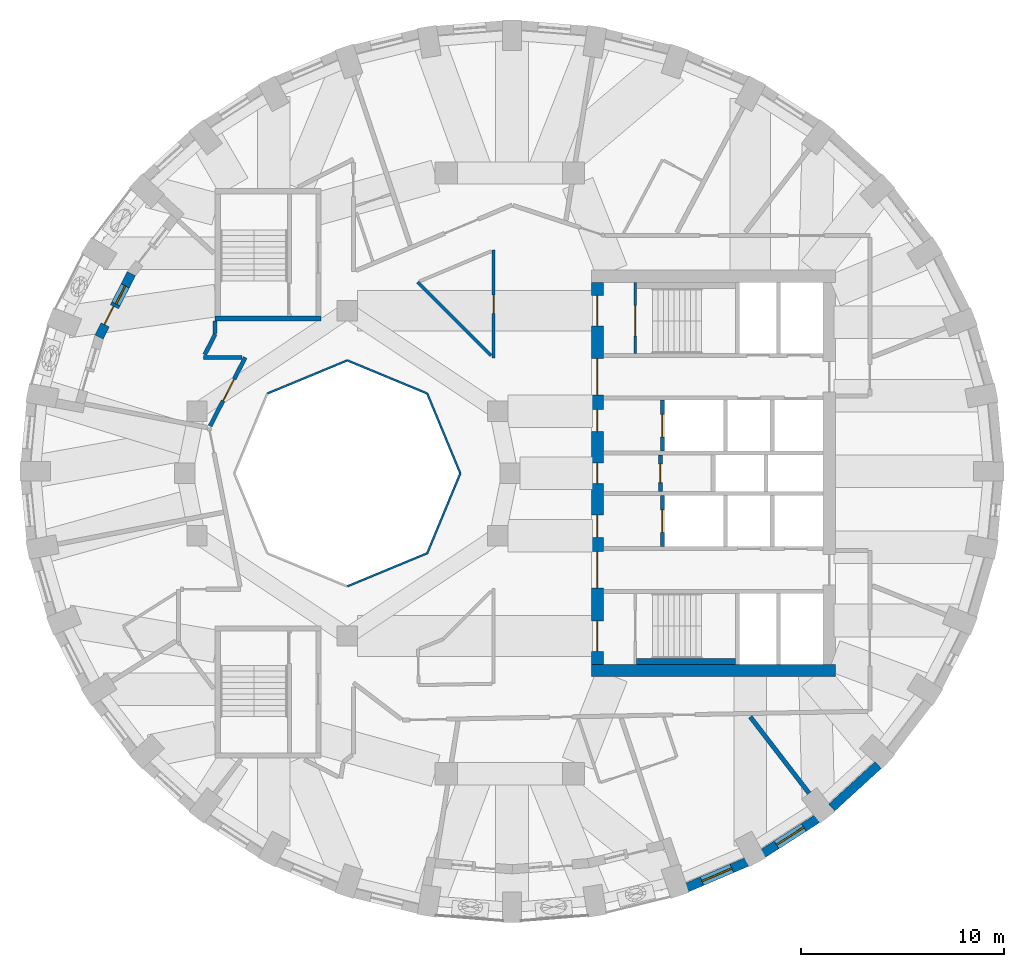
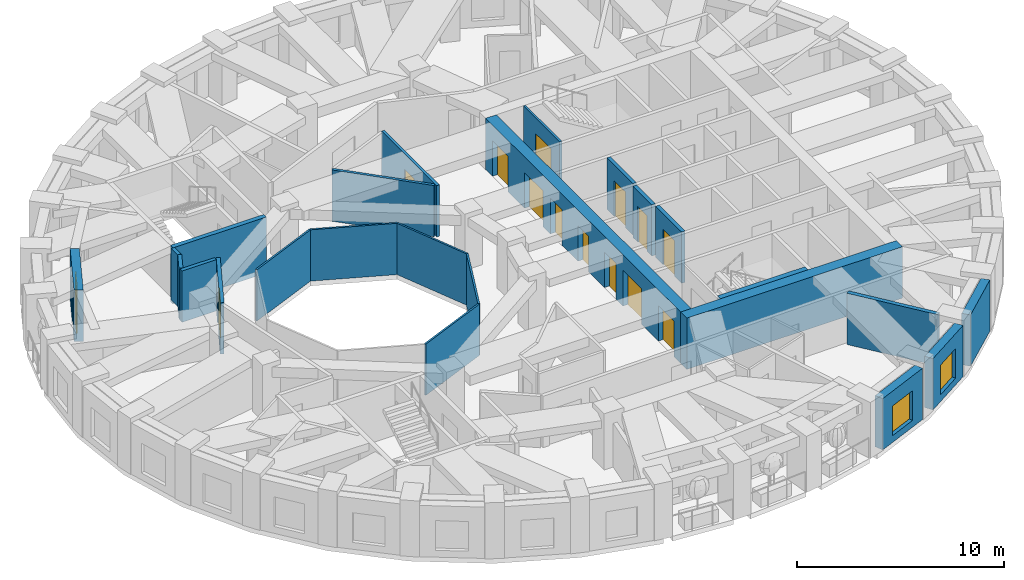
# One storey, part 5 of 11: 24 walls, 14 doors, 3 windows, 17 openings.
"""IFC4 building model written with IfcOpenShell, lengths in metres."""

import ifcopenshell
import ifcopenshell.guid

model = None  # the IFC model being written
_history = None  # IfcOwnerHistory: only IFC2X3 demands one
_inside = {}  # id of a spatial element -> (the spatial element, [elements in it])
_under = {}  # id of a project, library or spatial element -> (it, [spatial elements below it])
_declared = {}  # id of a project -> (the project, [libraries it declares])
_typed = {}  # id of a type object -> (the type object, [elements of that type])
_made_of = {}  # id of a material, layer set ... -> (it, [elements and type objects made of it])


def new_model(schema):
    """Start an empty IFC model of exactly this schema.

    Asked for "IFC4X3", IfcOpenShell would pick the latest addendum, in which some entities
    have other attributes; the version numbers below select the first issue.
    IFC2X3 requires an IfcOwnerHistory on every rooted entity: one is made here for all.
    """
    global model, _history
    if schema == "IFC4X3":
        model = ifcopenshell.file(schema_version=(4, 3, 0, 0))
    else:
        model = ifcopenshell.file(schema=schema)
    _inside.clear()
    _under.clear()
    _declared.clear()
    _typed.clear()
    _made_of.clear()
    _history = None
    if model.schema == "IFC2X3":
        org = make("IfcOrganization", Name="unknown")
        user = make(
            "IfcPersonAndOrganization",
            ThePerson=make("IfcPerson", FamilyName="unknown"),
            TheOrganization=org,
        )
        app = make(
            "IfcApplication",
            ApplicationDeveloper=org,
            Version="unknown",
            ApplicationFullName="unknown",
            ApplicationIdentifier="unknown",
        )
        _history = make(
            "IfcOwnerHistory",
            OwningUser=user,
            OwningApplication=app,
            ChangeAction="ADDED",
            CreationDate=0,
        )
    return model


def make(cls, **values):
    """One entity of the class cls with the attributes given. An attribute that is None is left unset."""
    return model.create_entity(
        cls, **{name: value for name, value in values.items() if value is not None}
    )


def rooted(cls, **values):
    """An entity with a GlobalId (a new one), such as an element, a storey or a relation."""
    return make(cls, GlobalId=ifcopenshell.guid.new(), OwnerHistory=_history, **values)


def si_unit(unit_type, name, prefix=None):
    """IfcSIUnit, for example si_unit("LENGTHUNIT", "METRE", prefix="MILLI")."""
    return make("IfcSIUnit", UnitType=unit_type, Prefix=prefix, Name=name)


def assignment(units):
    """IfcUnitAssignment: the units of a project."""
    return None if units is None else make("IfcUnitAssignment", Units=units)


def point(xyz):
    """IfcCartesianPoint."""
    return None if xyz is None else make("IfcCartesianPoint", Coordinates=xyz)


def direction(xyz):
    """IfcDirection."""
    return None if xyz is None else make("IfcDirection", DirectionRatios=xyz)


def frame(location, z_axis=None, x_axis=None):
    """IfcAxis2Placement3D, a coordinate frame: its origin and axes. An axis left out is left unset."""
    return make(
        "IfcAxis2Placement3D",
        Location=point(location),
        Axis=direction(z_axis),
        RefDirection=direction(x_axis),
    )


def frame_2d(location, x_axis=None):
    """IfcAxis2Placement2D, a coordinate frame in the plane: its origin and x axis."""
    return make(
        "IfcAxis2Placement2D", Location=point(location), RefDirection=direction(x_axis)
    )


def origin():
    """The frame at (0, 0, 0) with its axes left unset."""
    return frame((0.0, 0.0, 0.0))


def place(relative_to, where):
    """IfcLocalPlacement: puts the frame where relative to a parent placement (None: the world)."""
    return make(
        "IfcLocalPlacement", PlacementRelTo=relative_to, RelativePlacement=where
    )


def context(
    kind, dimensions, precision=None, world=None, true_north=None, identifier=None
):
    """IfcGeometricRepresentationContext, for example the 3D "Model" context."""
    return make(
        "IfcGeometricRepresentationContext",
        ContextIdentifier=identifier,
        ContextType=kind,
        CoordinateSpaceDimension=dimensions,
        Precision=precision,
        WorldCoordinateSystem=world,
        TrueNorth=true_north,
    )


def subcontext(parent, identifier, kind, view, scale=None):
    """IfcGeometricRepresentationSubContext, for example "Body" below "Model"."""
    return make(
        "IfcGeometricRepresentationSubContext",
        ContextIdentifier=identifier,
        ContextType=kind,
        ParentContext=parent,
        TargetScale=scale,
        TargetView=view,
    )


def project(units=None, contexts=None):
    """IfcProject with its units and contexts."""
    return rooted(
        "IfcProject",
        Name="project",
        RepresentationContexts=contexts,
        UnitsInContext=assignment(units),
    )


def spatial(cls, under=None, at=None, **own):
    """A site, building, storey or space (cls), placed at a placement, below another one or the project."""
    s = rooted(cls, ObjectPlacement=at, **own)
    if under is not None:
        _under.setdefault(under.id(), (under, []))[1].append(s)
    return s


def profile(cls, at=None, kind="AREA", **sizes):
    """A parametric profile (cls). Its sizes go by their IFC names, for example OverallWidth=200.0."""
    return make(cls, ProfileType=kind, Position=at, **sizes)


def rectangle(**sizes):
    """IfcRectangleProfileDef."""
    return profile("IfcRectangleProfileDef", **sizes)


def extrude(swept, where, along, depth):
    """IfcExtrudedAreaSolid: the profile swept, set in the frame where, extruded along a direction by depth."""
    return make(
        "IfcExtrudedAreaSolid",
        SweptArea=swept,
        Position=where,
        ExtrudedDirection=direction(along),
        Depth=depth,
    )


def shape(context_of_items, identifier, shape_type, items):
    """IfcShapeRepresentation: the items that make up one representation, for example the "Body"."""
    return make(
        "IfcShapeRepresentation",
        ContextOfItems=context_of_items,
        RepresentationIdentifier=identifier,
        RepresentationType=shape_type,
        Items=items,
    )


def material(Name=None, Category=None):
    """IfcMaterial."""
    return make("IfcMaterial", Name=Name, Category=Category)


def layer(
    of_material, thickness, ventilated=None, Name=None, Category=None, Priority=None
):
    """IfcMaterialLayer: one layer of a wall or slab, of a material (None: an air gap)."""
    return make(
        "IfcMaterialLayer",
        Material=of_material,
        LayerThickness=thickness,
        IsVentilated=ventilated,
        Name=Name,
        Category=Category,
        Priority=Priority,
    )


def layer_set(layers, Name=None):
    """IfcMaterialLayerSet."""
    return make("IfcMaterialLayerSet", MaterialLayers=layers, LayerSetName=Name)


def made_of(thing, what):
    """Note that an element or type object is made of a material, layer set ...; save() writes the relation."""
    if what is not None:
        _made_of.setdefault(what.id(), (what, []))[1].append(thing)
    return thing


def type_object(cls, material=None, **own):
    """A type object (cls), such as IfcWallType, which elements share."""
    return made_of(rooted(cls, **own), material)


def element(
    cls,
    number,
    at=None,
    inside=None,
    cuts=None,
    type_object=None,
    material=None,
    context=None,
    identifier="Body",
    shape_type=None,
    held_by="IfcProductDefinitionShape",
    body=None,
    shapes=None,
    **own,
):
    """One element of the class cls, such as IfcWall. Its Tag is "e" and its number.

    at: its placement. inside: the storey or other place that contains it. cuts: it is an
    opening in that element (IfcRelVoidsElement). A single representation is given by context,
    identifier, shape_type and body (its items); several are given by shapes. held_by: the class
    of the entity that holds the representations. save() writes the other relations.
    """
    e = rooted(cls, Tag="e%d" % number, ObjectPlacement=at, **own)
    if body is not None:
        shapes = [shape(context, identifier, shape_type, body)]
    if shapes is not None:
        e.Representation = make(held_by, Representations=shapes)
    if inside is not None:
        _inside.setdefault(inside.id(), (inside, []))[1].append(e)
    if cuts is not None:
        rooted(
            "IfcRelVoidsElement", RelatingBuildingElement=cuts, RelatedOpeningElement=e
        )
    if type_object is not None:
        _typed.setdefault(type_object.id(), (type_object, []))[1].append(e)
    return made_of(e, material)


def fill(opening, filler):
    """IfcRelFillsElement: the door or window that sits in an opening."""
    return rooted(
        "IfcRelFillsElement",
        RelatingOpeningElement=opening,
        RelatedBuildingElement=filler,
    )


def aggregate(whole, parts):
    """IfcRelAggregates: a whole, such as a stair, and the parts it consists of."""
    return rooted("IfcRelAggregates", RelatingObject=whole, RelatedObjects=parts)


def save(model, path):
    """Write the relations noted so far, then the file.

    IfcRelAggregates (storeys below a building ...), IfcRelContainedInSpatialStructure (elements
    in a storey), IfcRelDefinesByType, IfcRelAssociatesMaterial and IfcRelDeclares: one each for
    every whole, place, type object, material and project.
    """
    for whole, parts in _under.values():
        aggregate(whole, parts)
    for where, things in _inside.values():
        rooted(
            "IfcRelContainedInSpatialStructure",
            RelatedElements=things,
            RelatingStructure=where,
        )
    for kind, things in _typed.values():
        rooted("IfcRelDefinesByType", RelatedObjects=things, RelatingType=kind)
    for what, things in _made_of.values():
        rooted("IfcRelAssociatesMaterial", RelatedObjects=things, RelatingMaterial=what)
    for by, libraries in _declared.values():
        rooted("IfcRelDeclares", RelatingContext=by, RelatedDefinitions=libraries)
    model.write(path)


model = new_model("IFC4")

# Units and contexts
model_context = context("Model", 3, precision=1e-05, world=origin(), true_north=direction((0.0, 1.0)))
body_context = subcontext(model_context, "Body", "Model", "MODEL_VIEW")
ifc_project = project(units=[si_unit("LENGTHUNIT", "METRE"), si_unit("AREAUNIT", "SQUARE_METRE"), si_unit("VOLUMEUNIT", "CUBIC_METRE"), si_unit("PLANEANGLEUNIT", "RADIAN"), si_unit("MASSUNIT", "GRAM", prefix="KILO")], contexts=[model_context])

# Site, building, storey
site_placement = place(None, origin())
site = spatial("IfcSite", under=ifc_project, at=site_placement, CompositionType="ELEMENT")
building_placement = place(site_placement, origin())
building = spatial("IfcBuilding", under=site, at=building_placement, Name="Taillehof Tower", CompositionType="ELEMENT")
storey_placement = place(building_placement, frame((0.0, 0.0, 155.0)))
storey = spatial("IfcBuildingStorey", under=building, at=storey_placement, Name="L43", CompositionType="ELEMENT", Elevation=155.0)

# Walls
ifc_material_1 = material(Name="Fire-resisting glass in steel frame", Category="steel")
ifc_layer_1 = layer(ifc_material_1, 0.10009765625)
ifc_layer_set_1 = layer_set([ifc_layer_1], Name="Atrium fire-resisting screen EI 60 100")
wall_type_1 = type_object("IfcWallType", Name="Atrium fire-resisting screen EI 60 100", PredefinedType="PARTITIONING", material=ifc_layer_set_1)
for number, where, z_axis, x_axis, name in (
    (1, (-2.44580078125, 0.0, 0.0), (0.0, 0.0, 1.0), (-0.382730523909, -0.923860025149, 0.0), "Atrium screen"),
    (2, (-4.07275390625, -3.92724609375, 0.0), (0.0, 0.0, 1.0), (-0.923860025149, -0.382730523909, 0.0), "Atrium screen"),
    (3, (-11.92724609375, 3.92724609375, 0.0), (0.0, 0.0, 1.0), (0.923860025149, 0.382730523909, 0.0), "Atrium screen"),
    (4, (-8.0, 5.55419921875, 0.0), (0.0, 0.0, 1.0), (0.923860025149, -0.382730523909, 0.0), "Atrium screen"),
    (5, (-4.07275390625, 3.92724609375, 0.0), (0.0, 0.0, 1.0), (0.382730523909, -0.923860025149, 0.0), "Atrium screen"),
):
    element("IfcWall", number, at=place(storey_placement, frame(where, z_axis=z_axis, x_axis=x_axis)), inside=storey, type_object=wall_type_1, Name=name, PredefinedType="PARTITIONING", context=body_context, shape_type="SweptSolid", body=[
        extrude(rectangle(XDim=4.2509765625, YDim=0.10009765625, at=frame_2d((2.12548828125, 0.0))), origin(), (0.0, 0.0, 1.0), 3.02001953125),
    ])

# Wall, opening, window
ifc_material_2 = material(Name="Brick masonry", Category="masonry")
ifc_layer_2 = layer(ifc_material_2, 0.449951171875)
ifc_layer_set_2 = layer_set([ifc_layer_2], Name="Brick infill wall 450")
wall_type_2 = type_object("IfcWallType", Name="Brick infill wall 450", PredefinedType="SOLIDWALL", material=ifc_layer_set_2)
wall_1_placement = place(storey_placement, frame((8.706298828125, -20.37451171875, 0.0), z_axis=(0.0, 0.0, 1.0), x_axis=(0.91981046949, 0.392362969986, 0.0)))
wall_1 = element("IfcWall", 6, at=wall_1_placement, inside=storey, type_object=wall_type_2, Name="Brick wall L43 bay 30", PredefinedType="SOLIDWALL", context=body_context, shape_type="SweptSolid", body=[
    extrude(rectangle(XDim=3.20068359375, YDim=0.449951171875, at=frame_2d((1.600341796875, 0.0))), origin(), (0.0, 0.0, 1.0), 3.02001953125),
])
opening_1_placement = place(wall_1_placement, frame((0.80029296875, 0.0, 0.39990234375)))
opening_1 = element("IfcOpeningElement", 7, at=opening_1_placement, cuts=wall_1, Name="Opening W3", PredefinedType="OPENING", context=body_context, shape_type="SweptSolid", body=[
    extrude(rectangle(XDim=1.60009765625, YDim=1.75, at=frame_2d((0.800048828125, 0.875))), frame((0.0, 0.23486328125, 0.0), z_axis=(0.0, -1.0, 0.0), x_axis=(1.0, 0.0, 0.0)), (0.0, 0.0, 1.0), 0.469970703125),
])
ifc_material_3 = material(Name="Aluminium window frame with clear double glazing", Category="aluminium")
window_type_1 = type_object("IfcWindowType", Name="Deep-set window 1600x1750", PartitioningType="SINGLE_PANEL", PredefinedType="WINDOW", material=ifc_material_3)
window_1_placement = place(opening_1_placement, origin())
window_1 = element("IfcWindow", 8, at=window_1_placement, inside=storey, type_object=window_type_1, Name="W3", OverallHeight=1.75, OverallWidth=1.60009765625, PartitioningType="SINGLE_PANEL", PredefinedType="WINDOW", context=body_context, shape_type="SweptSolid", body=[
    extrude(rectangle(XDim=1.60009765625, YDim=1.75, at=frame_2d((0.800048828125, 0.875))), frame((0.0, 0.034912109375, 0.0), z_axis=(0.0, -1.0, 0.0), x_axis=(1.0, 0.0, 0.0)), (0.0, 0.0, 1.0), 0.06005859375),
])
fill(opening_1, window_1)

wall_2_placement = place(storey_placement, frame((12.454833984375, -18.693115234375, 0.0), z_axis=(0.0, 0.0, 1.0), x_axis=(0.842065914439, 0.539374633943, 0.0)))
wall_2 = element("IfcWall", 9, at=wall_2_placement, inside=storey, type_object=wall_type_2, Name="Brick wall L43 bay 31", PredefinedType="SOLIDWALL", context=body_context, shape_type="SweptSolid", body=[
    extrude(rectangle(XDim=3.1513671875, YDim=0.449951171875, at=frame_2d((1.57568359375, 0.0))), origin(), (0.0, 0.0, 1.0), 3.02001953125),
])
opening_2_placement = place(wall_2_placement, frame((0.775634765625, 0.0, 0.39990234375)))
opening_2 = element("IfcOpeningElement", 10, at=opening_2_placement, cuts=wall_2, Name="Opening W3", PredefinedType="OPENING", context=body_context, shape_type="SweptSolid", body=[
    extrude(rectangle(XDim=1.60009765625, YDim=1.75, at=frame_2d((0.800048828125, 0.875))), frame((0.0, 0.23486328125, 0.0), z_axis=(0.0, -1.0, 0.0), x_axis=(1.0, 0.0, 0.0)), (0.0, 0.0, 1.0), 0.469970703125),
])
window_2_placement = place(opening_2_placement, origin())
window_2 = element("IfcWindow", 11, at=window_2_placement, inside=storey, type_object=window_type_1, Name="W3", OverallHeight=1.75, OverallWidth=1.60009765625, PartitioningType="SINGLE_PANEL", PredefinedType="WINDOW", context=body_context, shape_type="SweptSolid", body=[
    extrude(rectangle(XDim=1.60009765625, YDim=1.75, at=frame_2d((0.800048828125, 0.875))), frame((0.0, 0.034912109375, 0.0), z_axis=(0.0, -1.0, 0.0), x_axis=(1.0, 0.0, 0.0)), (0.0, 0.0, 1.0), 0.06005859375),
])
fill(opening_2, window_2)

# Wall
wall_3_placement = place(storey_placement, frame((15.830078125, -16.438720703125, 0.0), z_axis=(0.0, 0.0, 1.0), x_axis=(0.737808755941, 0.675009807082, 0.0)))
element("IfcWall", 12, at=wall_3_placement, inside=storey, type_object=wall_type_2, Name="Brick wall L43 bay 32", PredefinedType="SOLIDWALL", context=body_context, shape_type="SweptSolid", body=[
    extrude(rectangle(XDim=3.094482421875, YDim=0.449951171875, at=frame_2d((1.54736328125, 0.0))), origin(), (0.0, 0.0, 1.0), 3.02001953125),
])

# Wall, openings, door, window
wall_4_placement = place(storey_placement, frame((-18.6259765625, 9.819580078125, 0.0), z_axis=(0.0, 0.0, 1.0), x_axis=(-0.453241970186, -0.891387523169, 0.0)))
wall_4 = element("IfcWall", 13, at=wall_4_placement, inside=storey, type_object=wall_type_2, Name="Brick wall L43 pocket bay 16", PredefinedType="SOLIDWALL", context=body_context, shape_type="SweptSolid", body=[
    extrude(rectangle(XDim=3.4931640625, YDim=0.449951171875, at=frame_2d((1.74658203125, 0.0))), origin(), (0.0, 0.0, 1.0), 3.02001953125),
])
opening_3_placement = place(wall_4_placement, frame((0.671630859375, 0.0, 0.39990234375)))
opening_3 = element("IfcOpeningElement", 14, at=opening_3_placement, cuts=wall_4, Name="Opening W5", PredefinedType="OPENING", context=body_context, shape_type="SweptSolid", body=[
    extrude(rectangle(XDim=1.0, YDim=1.75, at=frame_2d((0.5, 0.875))), frame((0.0, 0.23486328125, 0.0), z_axis=(0.0, -1.0, 0.0), x_axis=(1.0, 0.0, 0.0)), (0.0, 0.0, 1.0), 0.469970703125),
])
opening_4_placement = place(wall_4_placement, frame((1.821533203125, 0.0, 0.0)))
opening_4 = element("IfcOpeningElement", 15, at=opening_4_placement, cuts=wall_4, Name="Opening D4395", PredefinedType="OPENING", context=body_context, shape_type="SweptSolid", body=[
    extrude(rectangle(XDim=1.0, YDim=2.14990234375, at=frame_2d((0.5, 1.074951171875))), frame((0.0, 0.23486328125, 0.0), z_axis=(0.0, -1.0, 0.0), x_axis=(1.0, 0.0, 0.0)), (0.0, 0.0, 1.0), 0.469970703125),
])
ifc_material_4 = material(Name="Aluminium door frame with clear double glazing", Category="aluminium")
door_type_1 = type_object("IfcDoorType", Name="Balcony door 1000x2150", OperationType="SINGLE_SWING_RIGHT", PredefinedType="DOOR", material=ifc_material_4)
door_1_placement = place(opening_4_placement, frame((1.0, 0.0, 0.0), z_axis=(0.0, 0.0, 1.0), x_axis=(-1.0, 0.0, 0.0)))
door_1 = element("IfcDoor", 16, at=door_1_placement, inside=storey, type_object=door_type_1, Name="Balcony door L43 bay 16", OperationType="SINGLE_SWING_LEFT", OverallHeight=2.14990234375, OverallWidth=1.0, PredefinedType="DOOR", context=body_context, shape_type="SweptSolid", body=[
    extrude(rectangle(XDim=1.0, YDim=2.14990234375, at=frame_2d((0.5, 1.074951171875))), frame((0.0, 0.0751953125, 0.0), z_axis=(0.0, -1.0, 0.0), x_axis=(1.0, 0.0, 0.0)), (0.0, 0.0, 1.0), 0.050048828125),
])
fill(opening_4, door_1)
ifc_material_5 = material(Name="Aluminium window frame with clear double glazing", Category="aluminium")
window_type_2 = type_object("IfcWindowType", Name="Fixed window 1000x1750", PartitioningType="SINGLE_PANEL", PredefinedType="WINDOW", material=ifc_material_5)
window_3_placement = place(opening_3_placement, origin())
window_3 = element("IfcWindow", 17, at=window_3_placement, inside=storey, type_object=window_type_2, Name="W5", OverallHeight=1.75, OverallWidth=1.0, PartitioningType="SINGLE_PANEL", PredefinedType="WINDOW", context=body_context, shape_type="SweptSolid", body=[
    extrude(rectangle(XDim=1.0, YDim=1.75, at=frame_2d((0.5, 0.875))), frame((0.0, 0.034912109375, 0.0), z_axis=(0.0, -1.0, 0.0), x_axis=(1.0, 0.0, 0.0)), (0.0, 0.0, 1.0), 0.06005859375),
])
fill(opening_3, window_3)

# Wall, opening, door
ifc_material_6 = material(Name="Calcium silicate masonry", Category="masonry")
ifc_layer_3 = layer(ifc_material_6, 0.199951171875)
ifc_layer_set_3 = layer_set([ifc_layer_3], Name="Compartment wall calcium silicate 200")
wall_type_3 = type_object("IfcWallType", Name="Compartment wall calcium silicate 200", PredefinedType="PARTITIONING", material=ifc_layer_set_3)
wall_5_placement = place(storey_placement, frame((7.39990234375, -0.89990234375, 0.0), z_axis=(0.0, 0.0, 1.0), x_axis=(0.0, 1.0, 0.0)))
wall_5 = element("IfcWall", 18, at=wall_5_placement, inside=storey, type_object=wall_type_3, Name="Compartment wall FW", PredefinedType="PARTITIONING", context=body_context, shape_type="SweptSolid", body=[
    extrude(rectangle(XDim=1.7998046875, YDim=0.199951171875, at=frame_2d((0.89990234375, 0.0))), origin(), (0.0, 0.0, 1.0), 3.02001953125),
])
opening_5_placement = place(wall_5_placement, frame((0.449951171875, 0.0, 0.0)))
opening_5 = element("IfcOpeningElement", 19, at=opening_5_placement, cuts=wall_5, Name="Opening D4314", PredefinedType="OPENING", context=body_context, shape_type="SweptSolid", body=[
    extrude(rectangle(XDim=0.89990234375, YDim=2.10009765625, at=frame_2d((0.449951171875, 1.050048828125))), frame((0.0, 0.10986328125, 0.0), z_axis=(0.0, -1.0, 0.0), x_axis=(1.0, 0.0, 0.0)), (0.0, 0.0, 1.0), 0.219970703125),
])
ifc_material_7 = material(Name="Steel-faced fire door", Category="steel")
door_type_2 = type_object("IfcDoorType", Name="Riser and service room door 900x2100", OperationType="SINGLE_SWING_LEFT", PredefinedType="DOOR", material=ifc_material_7)
door_2_placement = place(opening_5_placement, origin())
door_2 = element("IfcDoor", 20, at=door_2_placement, inside=storey, type_object=door_type_2, Name="Door Fire Safety Store", OperationType="SINGLE_SWING_RIGHT", OverallHeight=2.10009765625, OverallWidth=0.89990234375, PredefinedType="DOOR", context=body_context, shape_type="SweptSolid", body=[
    extrude(rectangle(XDim=0.89990234375, YDim=2.10009765625, at=frame_2d((0.449951171875, 1.050048828125))), frame((0.0, 0.02490234375, 0.0), z_axis=(0.0, -1.0, 0.0), x_axis=(1.0, 0.0, 0.0)), (0.0, 0.0, 1.0), 0.050048828125),
])
fill(opening_5, door_2)

ifc_material_8 = material(Name="Gypsum board on steel studs, two layers each side", Category="steel")
ifc_layer_4 = layer(ifc_material_8, 0.199951171875)
ifc_layer_set_4 = layer_set([ifc_layer_4], Name="Compartment wall corridor 200")
wall_type_4 = type_object("IfcWallType", Name="Compartment wall corridor 200", PredefinedType="PARTITIONING", material=ifc_layer_set_4)
wall_6_placement = place(storey_placement, frame((-14.750732421875, 2.326416015625, 0.0), z_axis=(0.0, 0.0, 1.0), x_axis=(0.456461745611, 0.889743038632, 0.0)))
wall_6 = element("IfcWall", 21, at=wall_6_placement, inside=storey, type_object=wall_type_4, Name="Compartment wall", PredefinedType="PARTITIONING", context=body_context, shape_type="SweptSolid", body=[
    extrude(rectangle(XDim=3.79150390625, YDim=0.199951171875, at=frame_2d((1.895751953125, 0.0))), origin(), (0.0, 0.0, 1.0), 3.02001953125),
])
opening_6_placement = place(wall_6_placement, frame((1.40087890625, 0.0, 0.0)))
opening_6 = element("IfcOpeningElement", 22, at=opening_6_placement, cuts=wall_6, Name="Opening D4346", PredefinedType="OPENING", context=body_context, shape_type="SweptSolid", body=[
    extrude(rectangle(XDim=1.199951171875, YDim=2.10009765625, at=frame_2d((0.60009765625, 1.050048828125))), frame((0.0, 0.10986328125, 0.0), z_axis=(0.0, -1.0, 0.0), x_axis=(1.0, 0.0, 0.0)), (0.0, 0.0, 1.0), 0.219970703125),
])
ifc_material_9 = material(Name="Timber door leaf in steel frame", Category="steel")
door_type_3 = type_object("IfcDoorType", Name="Suite entrance door EI 30 1200 x 2100", OperationType="SINGLE_SWING_LEFT", PredefinedType="DOOR", material=ifc_material_9)
door_3_placement = place(opening_6_placement, origin())
door_3 = element("IfcDoor", 23, at=door_3_placement, inside=storey, type_object=door_type_3, Name="D4346", OperationType="SINGLE_SWING_RIGHT", OverallHeight=2.10009765625, OverallWidth=1.199951171875, PredefinedType="DOOR", context=body_context, shape_type="SweptSolid", body=[
    extrude(rectangle(XDim=1.199951171875, YDim=2.10009765625, at=frame_2d((0.60009765625, 1.050048828125))), frame((0.0, 0.02490234375, 0.0), z_axis=(0.0, -1.0, 0.0), x_axis=(1.0, 0.0, 0.0)), (0.0, 0.0, 1.0), 0.050048828125),
])
fill(opening_6, door_3)

# Walls
wall_7_placement = place(storey_placement, frame((-13.18017578125, 5.699951171875, 0.0), z_axis=(0.0, 0.0, 1.0), x_axis=(-1.0, 0.0, 0.0)))
element("IfcWall", 24, at=wall_7_placement, inside=storey, type_object=wall_type_4, Name="Compartment wall", PredefinedType="PARTITIONING", context=body_context, shape_type="SweptSolid", body=[
    extrude(rectangle(XDim=1.903076171875, YDim=0.199951171875, at=frame_2d((0.95166015625, 0.0))), origin(), (0.0, 0.0, 1.0), 3.02001953125),
])
wall_8_placement = place(storey_placement, frame((-15.010986328125, 5.842529296875, 0.0), z_axis=(0.0, 0.0, 1.0), x_axis=(0.453267091839, 0.891374749169, 0.0)))
element("IfcWall", 25, at=wall_8_placement, inside=storey, type_object=wall_type_4, Name="Compartment wall", PredefinedType="PARTITIONING", context=body_context, shape_type="SweptSolid", body=[
    extrude(rectangle(XDim=1.12744140625, YDim=0.199951171875, at=frame_2d((0.563720703125, 0.0))), origin(), (0.0, 0.0, 1.0), 3.02001953125),
])
wall_9_placement = place(storey_placement, frame((-14.5, 6.887451171875, 0.0), z_axis=(0.0, 0.0, 1.0), x_axis=(0.0, 1.0, 0.0)))
element("IfcWall", 26, at=wall_9_placement, inside=storey, type_object=wall_type_4, Name="Compartment wall", PredefinedType="PARTITIONING", context=body_context, shape_type="SweptSolid", body=[
    extrude(rectangle(XDim=0.608642578125, YDim=0.199951171875, at=frame_2d((0.30419921875, 0.0))), origin(), (0.0, 0.0, 1.0), 3.02001953125),
])
ifc_material_10 = material(Name="Gypsum board on double steel studs with mineral wool", Category="steel")
ifc_layer_5 = layer(ifc_material_10, 0.219970703125)
ifc_layer_set_5 = layer_set([ifc_layer_5], Name="Compartment wall guest room 220")
wall_type_5 = type_object("IfcWallType", Name="Compartment wall guest room 220", PredefinedType="PARTITIONING", material=ifc_layer_set_5)
wall_10_placement = place(storey_placement, frame((14.7158203125, -15.7373046875, 0.0), z_axis=(0.0, 0.0, 1.0), x_axis=(-0.609964163419, 0.79242899956, 0.0)))
element("IfcWall", 27, at=wall_10_placement, inside=storey, type_object=wall_type_5, Name="Compartment wall", PredefinedType="PARTITIONING", context=body_context, shape_type="SweptSolid", body=[
    extrude(rectangle(XDim=4.74853515625, YDim=0.219970703125, at=frame_2d((2.374267578125, 0.0))), origin(), (0.0, 0.0, 1.0), 3.02001953125),
])
ifc_material_11 = material(Name="Calcium silicate masonry", Category="masonry")
ifc_layer_6 = layer(ifc_material_11, 0.300048828125)
ifc_layer_set_6 = layer_set([ifc_layer_6], Name="Compartment wall lining calcium silicate 300")
wall_type_6 = type_object("IfcWallType", Name="Compartment wall lining calcium silicate 300", PredefinedType="PARTITIONING", material=ifc_layer_set_6)
wall_11_placement = place(storey_placement, frame((6.219970703125, -9.25, 0.0), z_axis=(0.0, 0.0, 1.0), x_axis=(1.0, 0.0, 0.0)))
element("IfcWall", 28, at=wall_11_placement, inside=storey, type_object=wall_type_6, Name="Compartment wall FW", PredefinedType="PARTITIONING", context=body_context, shape_type="SweptSolid", body=[
    extrude(rectangle(XDim=4.880126953125, YDim=0.300048828125, at=frame_2d((2.43994140625, 0.0))), origin(), (0.0, 0.0, 1.0), 3.02001953125),
])

# Wall, opening, door
ifc_material_12 = material(Name="Gypsum board on steel studs, two layers each side", Category="steel")
ifc_layer_7 = layer(ifc_material_12, 0.14990234375)
ifc_layer_set_7 = layer_set([ifc_layer_7], Name="Compartment wall service room 150")
wall_type_7 = type_object("IfcWallType", Name="Compartment wall service room 150", PredefinedType="PARTITIONING", material=ifc_layer_set_7)
wall_12_placement = place(storey_placement, frame((-0.800048828125, 10.977294921875, 0.0), z_axis=(0.0, 0.0, 1.0), x_axis=(0.0, -1.0, 0.0)))
wall_12 = element("IfcWall", 29, at=wall_12_placement, inside=storey, type_object=wall_type_7, Name="Compartment wall", PredefinedType="PARTITIONING", context=body_context, shape_type="SweptSolid", body=[
    extrude(rectangle(XDim=5.307861328125, YDim=0.14990234375, at=frame_2d((2.65380859375, 0.0))), origin(), (0.0, 0.0, 1.0), 3.02001953125),
])
opening_7_placement = place(wall_12_placement, frame((2.203857421875, 0.0, 0.0)))
opening_7 = element("IfcOpeningElement", 30, at=opening_7_placement, cuts=wall_12, Name="Opening D4359", PredefinedType="OPENING", context=body_context, shape_type="SweptSolid", body=[
    extrude(rectangle(XDim=0.89990234375, YDim=2.10009765625, at=frame_2d((0.449951171875, 1.050048828125))), frame((0.0, 0.0849609375, 0.0), z_axis=(0.0, -1.0, 0.0), x_axis=(1.0, 0.0, 0.0)), (0.0, 0.0, 1.0), 0.169921875),
])
ifc_material_13 = material(Name="Timber door leaf in steel frame", Category="steel")
door_type_4 = type_object("IfcDoorType", Name="Service room door EI 30 900 x 2100", OperationType="SINGLE_SWING_LEFT", PredefinedType="DOOR", material=ifc_material_13)
door_4_placement = place(opening_7_placement, origin())
door_4 = element("IfcDoor", 31, at=door_4_placement, inside=storey, type_object=door_type_4, Name="D4359", OperationType="SINGLE_SWING_LEFT", OverallHeight=2.10009765625, OverallWidth=0.89990234375, PredefinedType="DOOR", context=body_context, shape_type="SweptSolid", body=[
    extrude(rectangle(XDim=0.89990234375, YDim=2.10009765625, at=frame_2d((0.449951171875, 1.050048828125))), frame((0.0, 0.02490234375, 0.0), z_axis=(0.0, -1.0, 0.0), x_axis=(1.0, 0.0, 0.0)), (0.0, 0.0, 1.0), 0.050048828125),
])
fill(opening_7, door_4)

# Wall
wall_13_placement = place(storey_placement, frame((-0.927490234375, 5.796875, 0.0), z_axis=(0.0, 0.0, 1.0), x_axis=(-0.707106781187, 0.707106781187, 0.0)))
element("IfcWall", 32, at=wall_13_placement, inside=storey, type_object=wall_type_7, Name="Compartment wall", PredefinedType="PARTITIONING", context=body_context, shape_type="SweptSolid", body=[
    extrude(rectangle(XDim=5.10400390625, YDim=0.14990234375, at=frame_2d((2.552001953125, 0.0))), origin(), (0.0, 0.0, 1.0), 3.02001953125),
])

# Wall, openings, doors
ifc_material_14 = material(Name="Concrete C80/95", Category="concrete")
ifc_layer_8 = layer(ifc_material_14, 0.60009765625)
ifc_layer_set_8 = layer_set([ifc_layer_8], Name="Core wall C80/95 600")
wall_type_8 = type_object("IfcWallType", Name="Core wall C80/95 600", PredefinedType="SHEAR", material=ifc_layer_set_8)
wall_14_placement = place(storey_placement, frame((4.300048828125, -9.39990234375, 0.0), z_axis=(0.0, 0.0, 1.0), x_axis=(0.0, 1.0, 0.0)))
wall_14 = element("IfcWall", 33, at=wall_14_placement, inside=storey, type_object=wall_type_8, Name="Core wall CW01", PredefinedType="SHEAR", context=body_context, shape_type="SweptSolid", body=[
    extrude(rectangle(XDim=18.7998046875, YDim=0.60009765625, at=frame_2d((9.39990234375, 0.0))), origin(), (0.0, 0.0, 1.0), 3.02001953125),
])
opening_8_placement = place(wall_14_placement, frame((0.64990234375, 0.0, 0.0)))
opening_8 = element("IfcOpeningElement", 34, at=opening_8_placement, cuts=wall_14, Name="Opening D4301", PredefinedType="OPENING", context=body_context, shape_type="SweptSolid", body=[
    extrude(rectangle(XDim=1.5, YDim=2.10009765625, at=frame_2d((0.75, 1.050048828125))), frame((0.0, 0.31005859375, 0.0), z_axis=(0.0, -1.0, 0.0), x_axis=(1.0, 0.0, 0.0)), (0.0, 0.0, 1.0), 0.6201171875),
])
opening_9_placement = place(wall_14_placement, frame((3.75, 0.0, 0.0)))
opening_9 = element("IfcOpeningElement", 35, at=opening_9_placement, cuts=wall_14, Name="Opening D4302", PredefinedType="OPENING", context=body_context, shape_type="SweptSolid", body=[
    extrude(rectangle(XDim=1.800048828125, YDim=2.10009765625, at=frame_2d((0.89990234375, 1.050048828125))), frame((0.0, 0.31005859375, 0.0), z_axis=(0.0, -1.0, 0.0), x_axis=(1.0, 0.0, 0.0)), (0.0, 0.0, 1.0), 0.6201171875),
])
opening_10_placement = place(wall_14_placement, frame((6.25, 0.0, 0.0)))
opening_10 = element("IfcOpeningElement", 36, at=opening_10_placement, cuts=wall_14, Name="Opening D4303", PredefinedType="OPENING", context=body_context, shape_type="SweptSolid", body=[
    extrude(rectangle(XDim=1.10009765625, YDim=2.10009765625, at=frame_2d((0.550048828125, 1.050048828125))), frame((0.0, 0.31005859375, 0.0), z_axis=(0.0, -1.0, 0.0), x_axis=(1.0, 0.0, 0.0)), (0.0, 0.0, 1.0), 0.6201171875),
])
opening_11_placement = place(wall_14_placement, frame((8.89990234375, 0.0, 0.0)))
opening_11 = element("IfcOpeningElement", 37, at=opening_11_placement, cuts=wall_14, Name="Opening D4304", PredefinedType="OPENING", context=body_context, shape_type="SweptSolid", body=[
    extrude(rectangle(XDim=1.0, YDim=2.10009765625, at=frame_2d((0.5, 1.050048828125))), frame((0.0, 0.31005859375, 0.0), z_axis=(0.0, -1.0, 0.0), x_axis=(1.0, 0.0, 0.0)), (0.0, 0.0, 1.0), 0.6201171875),
])
opening_12_placement = place(wall_14_placement, frame((11.449951171875, 0.0, 0.0)))
opening_12 = element("IfcOpeningElement", 38, at=opening_12_placement, cuts=wall_14, Name="Opening D4305", PredefinedType="OPENING", context=body_context, shape_type="SweptSolid", body=[
    extrude(rectangle(XDim=1.10009765625, YDim=2.10009765625, at=frame_2d((0.550048828125, 1.050048828125))), frame((0.0, 0.31005859375, 0.0), z_axis=(0.0, -1.0, 0.0), x_axis=(1.0, 0.0, 0.0)), (0.0, 0.0, 1.0), 0.6201171875),
])
opening_13_placement = place(wall_14_placement, frame((13.25, 0.0, 0.0)))
opening_13 = element("IfcOpeningElement", 39, at=opening_13_placement, cuts=wall_14, Name="Opening D4306", PredefinedType="OPENING", context=body_context, shape_type="SweptSolid", body=[
    extrude(rectangle(XDim=1.800048828125, YDim=2.10009765625, at=frame_2d((0.89990234375, 1.050048828125))), frame((0.0, 0.31005859375, 0.0), z_axis=(0.0, -1.0, 0.0), x_axis=(1.0, 0.0, 0.0)), (0.0, 0.0, 1.0), 0.6201171875),
])
opening_14_placement = place(wall_14_placement, frame((16.64990234375, 0.0, 0.0)))
opening_14 = element("IfcOpeningElement", 40, at=opening_14_placement, cuts=wall_14, Name="Opening D4307", PredefinedType="OPENING", context=body_context, shape_type="SweptSolid", body=[
    extrude(rectangle(XDim=1.5, YDim=2.10009765625, at=frame_2d((0.75, 1.050048828125))), frame((0.0, 0.31005859375, 0.0), z_axis=(0.0, -1.0, 0.0), x_axis=(1.0, 0.0, 0.0)), (0.0, 0.0, 1.0), 0.6201171875),
])
ifc_material_15 = material(Name="Steel-faced fire door", Category="steel")
door_type_5 = type_object("IfcDoorType", Name="Firefighting lobby door 1100x2100", OperationType="SINGLE_SWING_RIGHT", PredefinedType="DOOR", material=ifc_material_15)
door_5_placement = place(opening_10_placement, origin())
door_5 = element("IfcDoor", 41, at=door_5_placement, inside=storey, type_object=door_type_5, Name="Firefighting lobby door FFL-S", OperationType="SINGLE_SWING_RIGHT", OverallHeight=2.10009765625, OverallWidth=1.10009765625, PredefinedType="DOOR", context=body_context, shape_type="SweptSolid", body=[
    extrude(rectangle(XDim=1.10009765625, YDim=2.10009765625, at=frame_2d((0.550048828125, 1.050048828125))), frame((0.0, 0.02490234375, 0.0), z_axis=(0.0, -1.0, 0.0), x_axis=(1.0, 0.0, 0.0)), (0.0, 0.0, 1.0), 0.050048828125),
])
fill(opening_10, door_5)
door_6_placement = place(opening_12_placement, origin())
door_6 = element("IfcDoor", 42, at=door_6_placement, inside=storey, type_object=door_type_5, Name="Firefighting lobby door FFL-N", OperationType="SINGLE_SWING_LEFT", OverallHeight=2.10009765625, OverallWidth=1.10009765625, PredefinedType="DOOR", context=body_context, shape_type="SweptSolid", body=[
    extrude(rectangle(XDim=1.10009765625, YDim=2.10009765625, at=frame_2d((0.550048828125, 1.050048828125))), frame((0.0, 0.02490234375, 0.0), z_axis=(0.0, -1.0, 0.0), x_axis=(1.0, 0.0, 0.0)), (0.0, 0.0, 1.0), 0.050048828125),
])
fill(opening_12, door_6)
ifc_material_16 = material(Name="Steel-faced fire door", Category="steel")
door_type_6 = type_object("IfcDoorType", Name="Lift lobby door 1800x2100", OperationType="DOUBLE_DOOR_SINGLE_SWING", PredefinedType="DOOR", material=ifc_material_16)
door_7_placement = place(opening_9_placement, origin())
door_7 = element("IfcDoor", 43, at=door_7_placement, inside=storey, type_object=door_type_6, Name="Lift lobby door LL-S", OperationType="DOUBLE_DOOR_SINGLE_SWING", OverallHeight=2.10009765625, OverallWidth=1.800048828125, PredefinedType="DOOR", context=body_context, shape_type="SweptSolid", body=[
    extrude(rectangle(XDim=1.800048828125, YDim=2.10009765625, at=frame_2d((0.89990234375, 1.050048828125))), frame((0.0, 0.02490234375, 0.0), z_axis=(0.0, -1.0, 0.0), x_axis=(1.0, 0.0, 0.0)), (0.0, 0.0, 1.0), 0.050048828125),
])
fill(opening_9, door_7)
door_8_placement = place(opening_13_placement, origin())
door_8 = element("IfcDoor", 44, at=door_8_placement, inside=storey, type_object=door_type_6, Name="Lift lobby door LL-N", OperationType="DOUBLE_DOOR_SINGLE_SWING", OverallHeight=2.10009765625, OverallWidth=1.800048828125, PredefinedType="DOOR", context=body_context, shape_type="SweptSolid", body=[
    extrude(rectangle(XDim=1.800048828125, YDim=2.10009765625, at=frame_2d((0.89990234375, 1.050048828125))), frame((0.0, 0.02490234375, 0.0), z_axis=(0.0, -1.0, 0.0), x_axis=(1.0, 0.0, 0.0)), (0.0, 0.0, 1.0), 0.050048828125),
])
fill(opening_13, door_8)
ifc_material_17 = material(Name="Steel-faced fire door", Category="steel")
door_type_7 = type_object("IfcDoorType", Name="Service door 1000x2100", OperationType="SINGLE_SWING_RIGHT", PredefinedType="DOOR", material=ifc_material_17)
door_9_placement = place(opening_11_placement, origin())
door_9 = element("IfcDoor", 45, at=door_9_placement, inside=storey, type_object=door_type_7, Name="Service door SV", OperationType="SINGLE_SWING_RIGHT", OverallHeight=2.10009765625, OverallWidth=1.0, PredefinedType="DOOR", context=body_context, shape_type="SweptSolid", body=[
    extrude(rectangle(XDim=1.0, YDim=2.10009765625, at=frame_2d((0.5, 1.050048828125))), frame((0.0, 0.02490234375, 0.0), z_axis=(0.0, -1.0, 0.0), x_axis=(1.0, 0.0, 0.0)), (0.0, 0.0, 1.0), 0.050048828125),
])
fill(opening_11, door_9)
ifc_material_18 = material(Name="Steel-faced fire door", Category="steel")
door_type_8 = type_object("IfcDoorType", Name="Stair door 1500x2100", OperationType="DOUBLE_DOOR_SINGLE_SWING", PredefinedType="DOOR", material=ifc_material_18)
door_10_placement = place(opening_8_placement, origin())
door_10 = element("IfcDoor", 46, at=door_10_placement, inside=storey, type_object=door_type_8, Name="Stair door S2", OperationType="DOUBLE_DOOR_SINGLE_SWING", OverallHeight=2.10009765625, OverallWidth=1.5, PredefinedType="DOOR", context=body_context, shape_type="SweptSolid", body=[
    extrude(rectangle(XDim=1.5, YDim=2.10009765625, at=frame_2d((0.75, 1.050048828125))), frame((0.0, 0.02490234375, 0.0), z_axis=(0.0, -1.0, 0.0), x_axis=(1.0, 0.0, 0.0)), (0.0, 0.0, 1.0), 0.050048828125),
])
fill(opening_8, door_10)
door_11_placement = place(opening_14_placement, origin())
door_11 = element("IfcDoor", 47, at=door_11_placement, inside=storey, type_object=door_type_8, Name="Stair door S1", OperationType="DOUBLE_DOOR_SINGLE_SWING", OverallHeight=2.10009765625, OverallWidth=1.5, PredefinedType="DOOR", context=body_context, shape_type="SweptSolid", body=[
    extrude(rectangle(XDim=1.5, YDim=2.10009765625, at=frame_2d((0.75, 1.050048828125))), frame((0.0, 0.02490234375, 0.0), z_axis=(0.0, -1.0, 0.0), x_axis=(1.0, 0.0, 0.0)), (0.0, 0.0, 1.0), 0.050048828125),
])
fill(opening_14, door_11)

# Wall
wall_15_placement = place(storey_placement, frame((4.0, -9.699951171875, 0.0), z_axis=(0.0, 0.0, 1.0), x_axis=(1.0, 0.0, 0.0)))
element("IfcWall", 48, at=wall_15_placement, inside=storey, type_object=wall_type_8, Name="Core wall CW07", PredefinedType="SHEAR", context=body_context, shape_type="SweptSolid", body=[
    extrude(rectangle(XDim=12.0, YDim=0.60009765625, at=frame_2d((6.0, 0.0))), origin(), (0.0, 0.0, 1.0), 3.02001953125),
])

# Wall, opening, door
ifc_material_19 = material(Name="Concrete C50/60", Category="concrete")
ifc_layer_9 = layer(ifc_material_19, 0.199951171875)
ifc_layer_set_9 = layer_set([ifc_layer_9], Name="Shaft wall C50/60 200")
wall_type_9 = type_object("IfcWallType", Name="Shaft wall C50/60 200", PredefinedType="SHEAR", material=ifc_layer_set_9)
wall_16_placement = place(storey_placement, frame((7.5, 1.10009765625, 0.0), z_axis=(0.0, 0.0, 1.0), x_axis=(0.0, 1.0, 0.0)))
wall_16 = element("IfcWall", 49, at=wall_16_placement, inside=storey, type_object=wall_type_9, Name="Shaft wall SW", PredefinedType="SHEAR", context=body_context, shape_type="SweptSolid", body=[
    extrude(rectangle(XDim=2.5, YDim=0.199951171875, at=frame_2d((1.25, 0.0))), origin(), (0.0, 0.0, 1.0), 3.02001953125),
])
opening_15_placement = place(wall_16_placement, frame((0.699951171875, 0.0, 0.0)))
opening_15 = element("IfcOpeningElement", 50, at=opening_15_placement, cuts=wall_16, Name="Opening LD1", PredefinedType="OPENING", context=body_context, shape_type="SweptSolid", body=[
    extrude(rectangle(XDim=1.10009765625, YDim=2.10009765625, at=frame_2d((0.550048828125, 1.050048828125))), frame((0.0, 0.10986328125, 0.0), z_axis=(0.0, -1.0, 0.0), x_axis=(1.0, 0.0, 0.0)), (0.0, 0.0, 1.0), 0.219970703125),
])
ifc_material_20 = material(Name="Stainless steel", Category="steel")
door_type_9 = type_object("IfcDoorType", Name="Lift landing door LD1 1100x2100", OperationType="DOUBLE_DOOR_SLIDING", PredefinedType="DOOR", material=ifc_material_20)
door_12_placement = place(opening_15_placement, origin())
door_12 = element("IfcDoor", 51, at=door_12_placement, inside=storey, type_object=door_type_9, Name="Landing door FF1", OperationType="DOUBLE_DOOR_SLIDING", OverallHeight=2.10009765625, OverallWidth=1.10009765625, PredefinedType="DOOR", context=body_context, shape_type="SweptSolid", body=[
    extrude(rectangle(XDim=1.10009765625, YDim=2.10009765625, at=frame_2d((0.550048828125, 1.050048828125))), frame((0.0, 0.02490234375, 0.0), z_axis=(0.0, -1.0, 0.0), x_axis=(1.0, 0.0, 0.0)), (0.0, 0.0, 1.0), 0.050048828125),
])
fill(opening_15, door_12)

wall_17_placement = place(storey_placement, frame((7.5, -3.60009765625, 0.0), z_axis=(0.0, 0.0, 1.0), x_axis=(0.0, 1.0, 0.0)))
wall_17 = element("IfcWall", 52, at=wall_17_placement, inside=storey, type_object=wall_type_9, Name="Shaft wall SW", PredefinedType="SHEAR", context=body_context, shape_type="SweptSolid", body=[
    extrude(rectangle(XDim=2.5, YDim=0.199951171875, at=frame_2d((1.25, 0.0))), origin(), (0.0, 0.0, 1.0), 3.02001953125),
])
opening_16_placement = place(wall_17_placement, frame((0.699951171875, 0.0, 0.0)))
opening_16 = element("IfcOpeningElement", 53, at=opening_16_placement, cuts=wall_17, Name="Opening LD1", PredefinedType="OPENING", context=body_context, shape_type="SweptSolid", body=[
    extrude(rectangle(XDim=1.10009765625, YDim=2.10009765625, at=frame_2d((0.550048828125, 1.050048828125))), frame((0.0, 0.10986328125, 0.0), z_axis=(0.0, -1.0, 0.0), x_axis=(1.0, 0.0, 0.0)), (0.0, 0.0, 1.0), 0.219970703125),
])
door_13_placement = place(opening_16_placement, origin())
door_13 = element("IfcDoor", 54, at=door_13_placement, inside=storey, type_object=door_type_9, Name="Landing door FF2", OperationType="DOUBLE_DOOR_SLIDING", OverallHeight=2.10009765625, OverallWidth=1.10009765625, PredefinedType="DOOR", context=body_context, shape_type="SweptSolid", body=[
    extrude(rectangle(XDim=1.10009765625, YDim=2.10009765625, at=frame_2d((0.550048828125, 1.050048828125))), frame((0.0, 0.02490234375, 0.0), z_axis=(0.0, -1.0, 0.0), x_axis=(1.0, 0.0, 0.0)), (0.0, 0.0, 1.0), 0.050048828125),
])
fill(opening_16, door_13)

ifc_material_21 = material(Name="Concrete C50/60", Category="concrete")
ifc_layer_10 = layer(ifc_material_21, 0.1201171875)
ifc_layer_set_10 = layer_set([ifc_layer_10], Name="Stair lobby wall C50/60 120")
wall_type_10 = type_object("IfcWallType", Name="Stair lobby wall C50/60 120", PredefinedType="SHEAR", material=ifc_layer_set_10)
wall_18_placement = place(storey_placement, frame((6.159912109375, 5.89990234375, 0.0), z_axis=(0.0, 0.0, 1.0), x_axis=(0.0, 1.0, 0.0)))
wall_18 = element("IfcWall", 55, at=wall_18_placement, inside=storey, type_object=wall_type_10, Name="Compartment wall SW", PredefinedType="SHEAR", context=body_context, shape_type="SweptSolid", body=[
    extrude(rectangle(XDim=3.5, YDim=0.1201171875, at=frame_2d((1.75, 0.0))), origin(), (0.0, 0.0, 1.0), 3.02001953125),
])
opening_17_placement = place(wall_18_placement, frame((0.85009765625, 0.0, 0.0)))
opening_17 = element("IfcOpeningElement", 56, at=opening_17_placement, cuts=wall_18, Name="Opening D4310", PredefinedType="OPENING", context=body_context, shape_type="SweptSolid", body=[
    extrude(rectangle(XDim=1.5, YDim=2.10009765625, at=frame_2d((0.75, 1.050048828125))), frame((0.0, 0.070068359375, 0.0), z_axis=(0.0, -1.0, 0.0), x_axis=(1.0, 0.0, 0.0)), (0.0, 0.0, 1.0), 0.14013671875),
])
door_14_placement = place(opening_17_placement, origin())
door_14 = element("IfcDoor", 57, at=door_14_placement, inside=storey, type_object=door_type_8, Name="Stair lobby door S1", OperationType="DOUBLE_DOOR_SINGLE_SWING", OverallHeight=2.10009765625, OverallWidth=1.5, PredefinedType="DOOR", context=body_context, shape_type="SweptSolid", body=[
    extrude(rectangle(XDim=1.5, YDim=2.10009765625, at=frame_2d((0.75, 1.050048828125))), frame((0.0, 0.02490234375, 0.0), z_axis=(0.0, -1.0, 0.0), x_axis=(1.0, 0.0, 0.0)), (0.0, 0.0, 1.0), 0.050048828125),
])
fill(opening_17, door_14)

# Wall
ifc_material_22 = material(Name="Concrete C50/60", Category="concrete")
ifc_layer_11 = layer(ifc_material_22, 0.25)
ifc_layer_set_11 = layer_set([ifc_layer_11], Name="Stair wall C50/60 250")
wall_type_11 = type_object("IfcWallType", Name="Stair wall C50/60 250", PredefinedType="SHEAR", material=ifc_layer_set_11)
wall_19_placement = place(storey_placement, frame((-14.5, 7.625, -0.280029296875), z_axis=(0.0, 0.0, 1.0), x_axis=(1.0, 0.0, 0.0)))
element("IfcWall", 58, at=wall_19_placement, inside=storey, type_object=wall_type_11, Name="Stair wall SC", PredefinedType="SHEAR", context=body_context, shape_type="SweptSolid", body=[
    extrude(rectangle(XDim=5.199951171875, YDim=0.25, at=frame_2d((2.60009765625, 0.0))), origin(), (0.0, 0.0, 1.0), 3.300048828125),
])

save(model, "model.ifc")
